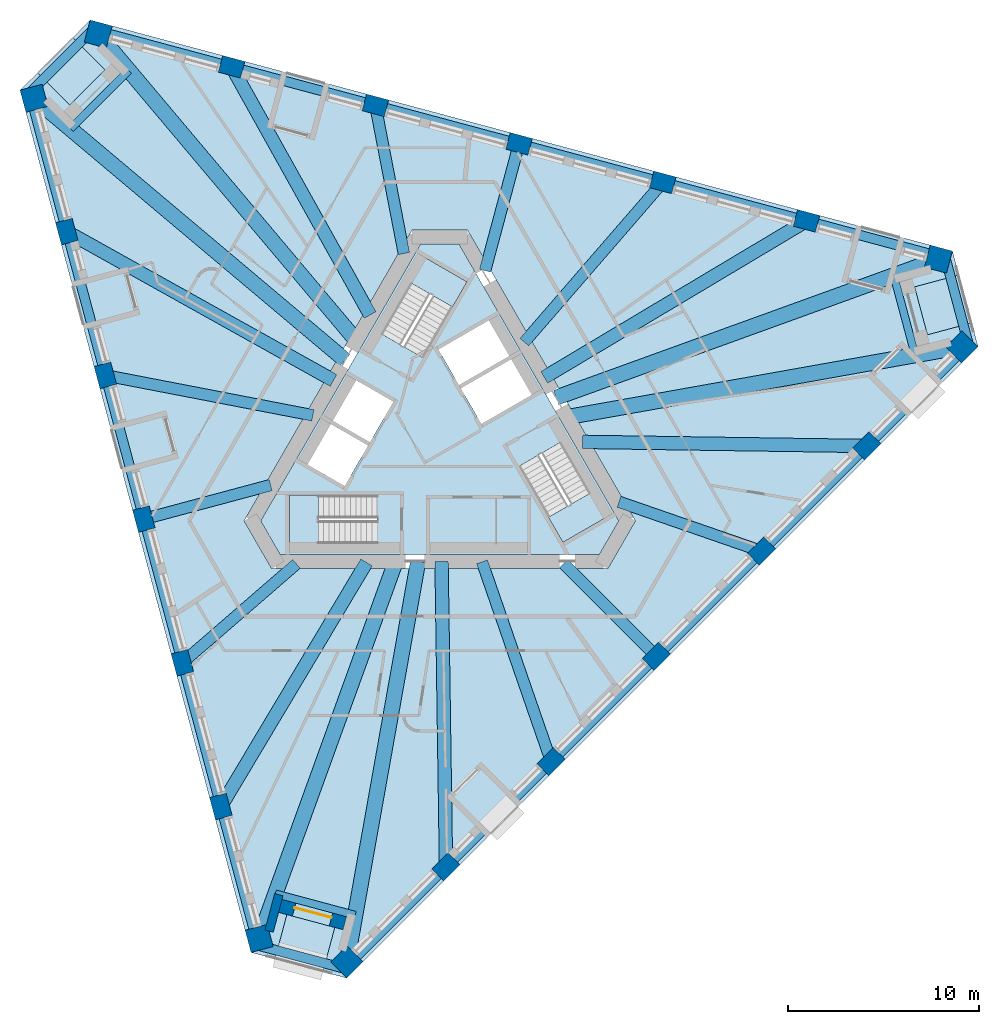
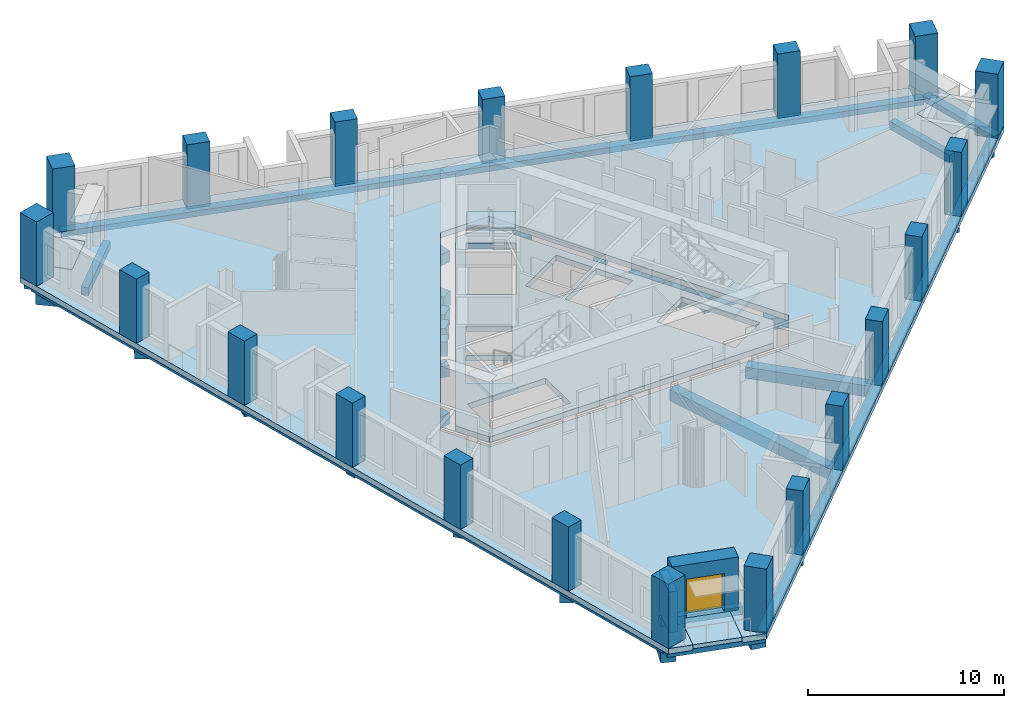
# One storey, part 1 of 13: 30 beams, 21 columns, 8 slabs, 2 walls, 1 door, 1 opening, 3 elements without a shape of their own.
"""IFC4 building model written with IfcOpenShell, lengths in metres."""

from ifc_helpers import new_model, si_unit, direction, frame, frame_2d, origin, origin_2d, place, context, subcontext, project, spatial, polyline, rectangle, outline, extrude, material, layer, layer_set, material_profile, profile_set, type_object, element, fill, aggregate, save


model = new_model("IFC4")

# Units and contexts
model_context = context("Model", 3, precision=1e-05, world=origin(), true_north=direction((0.0, 1.0)))
body_context = subcontext(model_context, "Body", "Model", "MODEL_VIEW")
ifc_project = project(units=[si_unit("LENGTHUNIT", "METRE"), si_unit("AREAUNIT", "SQUARE_METRE"), si_unit("VOLUMEUNIT", "CUBIC_METRE"), si_unit("PLANEANGLEUNIT", "RADIAN"), si_unit("MASSUNIT", "GRAM", prefix="KILO")], contexts=[model_context])

# Site, building, storey
site_placement = place(None, origin())
site = spatial("IfcSite", under=ifc_project, at=site_placement, CompositionType="ELEMENT")
building_placement = place(site_placement, origin())
building = spatial("IfcBuilding", under=site, at=building_placement, Name="Tramontana Tower", CompositionType="ELEMENT")
storey_placement = place(building_placement, frame((0.0, 0.0, 220.0)))
storey = spatial("IfcBuildingStorey", under=building, at=storey_placement, Name="L51", CompositionType="ELEMENT", Elevation=220.0)

# Columns
ifc_material_1 = material(Name="Concrete 55 MPa", Category="concrete")
ifc_material_profile_1 = material_profile(ifc_material_1, rectangle(XDim=1.199951171875, YDim=1.199951171875, at=origin_2d()), Name="Mega column 1200X1200 55 MPa")
ifc_profile_set_1 = profile_set([ifc_material_profile_1], Name="Concrete 55 MPa")
column_type_1 = type_object("IfcColumnType", Name="Mega column 1200X1200 55 MPa", PredefinedType="COLUMN", material=ifc_profile_set_1)
for number, where, z_axis, x_axis, name in (
    (1, (-21.2548828125, 17.89111328125, 0.0), (0.0, 0.0, 1.0), (0.258819045103, -0.965925826289, 0.0), "Mega column C5K1 L51"),
    (2, (-9.461669921875, -26.12158203125, 0.0), (0.0, 0.0, 1.0), (0.258819045103, -0.965925826289, 0.0), "Mega column C5K2 L51"),
    (3, (-4.86669921875, -27.352783203125, 0.0), (0.0, 0.0, 1.0), (0.707106781187, 0.707106781187, 0.0), "Mega column C5K3 L51"),
    (4, (27.352783203125, 4.86669921875, 0.0), (0.0, 0.0, 1.0), (0.707106781187, 0.707106781187, 0.0), "Mega column C5K4 L51"),
    (5, (26.12158203125, 9.461669921875, 0.0), (0.0, 0.0, 1.0), (-0.965925826289, 0.258819045103, 0.0), "Mega column C5K5 L51"),
    (6, (-17.89111328125, 21.2548828125, 0.0), (0.0, 0.0, 1.0), (-0.965925826289, 0.258819045103, 0.0), "Mega column C5K6 L51"),
):
    element("IfcColumn", number, at=place(storey_placement, frame(where, z_axis=z_axis, x_axis=x_axis)), inside=storey, type_object=column_type_1, Name=name, PredefinedType="COLUMN", context=body_context, shape_type="SweptSolid", body=[
        extrude(rectangle(XDim=1.199951171875, YDim=1.199951171875, at=origin_2d()), origin(), (0.0, 0.0, 1.0), 4.0),
    ])
ifc_material_2 = material(Name="Concrete 55 MPa", Category="concrete")
ifc_material_profile_2 = material_profile(ifc_material_2, rectangle(XDim=1.199951171875, YDim=0.89990234375, at=origin_2d()), Name="Pier column 1200X900 55 MPa")
ifc_profile_set_2 = profile_set([ifc_material_profile_2], Name="Concrete 55 MPa")
column_type_2 = type_object("IfcColumnType", Name="Pier column 1200X900 55 MPa", PredefinedType="COLUMN", material=ifc_profile_set_2)
for number, where, z_axis, x_axis, name in (
    (7, (-19.53759765625, 10.9033203125, 0.0), (0.0, 0.0, 1.0), (0.258819045103, -0.965925826289, 0.0), "Pier column C5F01 L51"),
    (8, (-17.5205078125, 3.37451171875, 0.0), (0.0, 0.0, 1.0), (0.258819045103, -0.965925826289, 0.0), "Pier column C5F02 L51"),
    (9, (-15.503173828125, -4.154052734375, 0.0), (0.0, 0.0, 1.0), (0.258819045103, -0.965925826289, 0.0), "Pier column C5F03 L51"),
    (10, (-13.48583984375, -11.6826171875, 0.0), (0.0, 0.0, 1.0), (0.258819045103, -0.965925826289, 0.0), "Pier column C5F04 L51"),
    (11, (-11.468505859375, -19.21142578125, 0.0), (0.0, 0.0, 1.0), (0.258819045103, -0.965925826289, 0.0), "Pier column C5F05 L51"),
    (12, (0.326416015625, -22.371826171875, 0.0), (0.0, 0.0, 1.0), (0.707106781187, 0.707106781187, 0.0), "Pier column C5F06 L51"),
    (13, (5.837646484375, -16.8603515625, 0.0), (0.0, 0.0, 1.0), (0.707106781187, 0.707106781187, 0.0), "Pier column C5F07 L51"),
    (14, (11.34912109375, -11.34912109375, 0.0), (0.0, 0.0, 1.0), (0.707106781187, 0.707106781187, 0.0), "Pier column C5F08 L51"),
    (15, (16.8603515625, -5.837646484375, 0.0), (0.0, 0.0, 1.0), (0.707106781187, 0.707106781187, 0.0), "Pier column C5F09 L51"),
    (16, (22.371826171875, -0.326416015625, 0.0), (0.0, 0.0, 1.0), (0.707106781187, 0.707106781187, 0.0), "Pier column C5F10 L51"),
    (17, (19.21142578125, 11.468505859375, 0.0), (0.0, 0.0, 1.0), (-0.965925826289, 0.258819045103, 0.0), "Pier column C5F11 L51"),
    (18, (11.6826171875, 13.48583984375, 0.0), (0.0, 0.0, 1.0), (-0.965925826289, 0.258819045103, 0.0), "Pier column C5F12 L51"),
    (19, (4.154052734375, 15.503173828125, 0.0), (0.0, 0.0, 1.0), (-0.965925826289, 0.258819045103, 0.0), "Pier column C5F13 L51"),
    (20, (-3.37451171875, 17.5205078125, 0.0), (0.0, 0.0, 1.0), (-0.965925826289, 0.258819045103, 0.0), "Pier column C5F14 L51"),
    (21, (-10.9033203125, 19.53759765625, 0.0), (0.0, 0.0, 1.0), (-0.965925826289, 0.258819045103, 0.0), "Pier column C5F15 L51"),
):
    element("IfcColumn", number, at=place(storey_placement, frame(where, z_axis=z_axis, x_axis=x_axis)), inside=storey, type_object=column_type_2, Name=name, PredefinedType="COLUMN", context=body_context, shape_type="SweptSolid", body=[
        extrude(rectangle(XDim=1.199951171875, YDim=0.89990234375, at=origin_2d()), origin(), (0.0, 0.0, 1.0), 4.0),
    ])

# Beams
ifc_material_3 = material(Name="Concrete 40 MPa", Category="concrete")
ifc_material_profile_3 = material_profile(ifc_material_3, rectangle(XDim=0.5, YDim=0.35009765625, at=origin_2d()), Name="RC EDGE BEAM 500X350 40 MPa")
ifc_profile_set_3 = profile_set([ifc_material_profile_3], Name="Concrete 40 MPa")
beam_type_1 = type_object("IfcBeamType", Name="RC EDGE BEAM 500X350 40 MPa", PredefinedType="SPANDREL", material=ifc_profile_set_3)
beam_1_placement = place(storey_placement, frame((-21.399658203125, 17.852294921875, -0.52490234375), z_axis=(0.25882000186, -0.965925569926, 0.0), x_axis=(0.965925569926, 0.25882000186, 0.0)))
element("IfcBeam", 22, at=beam_1_placement, inside=storey, type_object=beam_type_1, Name="Spandrel beam S0 L51", PredefinedType="SPANDREL", context=body_context, shape_type="SweptSolid", body=[
    extrude(rectangle(XDim=0.5, YDim=0.35009765625, at=origin_2d()), origin(), (0.0, 0.0, 1.0), 45.565185546875),
])
beam_2_placement = place(storey_placement, frame((-4.7607421875, -27.458984375, -0.52490234375), z_axis=(0.707106781187, 0.707106781187, 0.0), x_axis=(-0.707106781187, 0.707106781187, 0.0)))
element("IfcBeam", 23, at=beam_2_placement, inside=storey, type_object=beam_type_1, Name="Spandrel beam S1 L51", PredefinedType="SPANDREL", context=body_context, shape_type="SweptSolid", body=[
    extrude(rectangle(XDim=0.5, YDim=0.35009765625, at=origin_2d()), origin(), (0.0, 0.0, 1.0), 45.565673828125),
])
beam_3_placement = place(storey_placement, frame((26.160400390625, 9.6064453125, -0.52490234375), z_axis=(-0.965925569926, 0.25882000186, 0.0), x_axis=(-0.25882000186, -0.965925569926, 0.0)))
element("IfcBeam", 24, at=beam_3_placement, inside=storey, type_object=beam_type_1, Name="Spandrel beam S2 L51", PredefinedType="SPANDREL", context=body_context, shape_type="SweptSolid", body=[
    extrude(rectangle(XDim=0.5, YDim=0.35009765625, at=origin_2d()), origin(), (0.0, 0.0, 1.0), 45.565185546875),
])
beam_4_placement = place(storey_placement, frame((-17.997314453125, 21.67138671875, -0.52490234375), z_axis=(-0.707106781187, -0.707106781187, 0.0), x_axis=(0.707106781187, -0.707106781187, 0.0)))
element("IfcBeam", 25, at=beam_4_placement, inside=storey, type_object=beam_type_1, Name="Spandrel beam K0 L51", PredefinedType="SPANDREL", context=body_context, shape_type="SweptSolid", body=[
    extrude(rectangle(XDim=0.5, YDim=0.35009765625, at=origin_2d()), origin(), (0.0, 0.0, 1.0), 5.19580078125),
])
for number, where, z_axis, x_axis, name in (
    (26, (-9.769287109375, -26.421875, -0.52490234375), (0.965931693355, -0.258797147923, 0.0), (0.258797147923, 0.965931693355, 0.0), "Spandrel beam K1 L51"),
    (27, (27.7666015625, 4.750244140625, -0.52490234375), (-0.258797147923, 0.965931693355, 0.0), (-0.965931693355, -0.258797147923, 0.0), "Spandrel beam K2 L51"),
):
    element("IfcBeam", number, at=place(storey_placement, frame(where, z_axis=z_axis, x_axis=x_axis)), inside=storey, type_object=beam_type_1, Name=name, PredefinedType="SPANDREL", context=body_context, shape_type="SweptSolid", body=[
        extrude(rectangle(XDim=0.5, YDim=0.35009765625, at=origin_2d()), origin(), (0.0, 0.0, 1.0), 5.196044921875),
    ])
ifc_material_4 = material(Name="Concrete 40 MPa", Category="concrete")
ifc_material_profile_4 = material_profile(ifc_material_4, rectangle(XDim=0.60009765625, YDim=0.699951171875, at=origin_2d()), Name="RC GIRDER 600X700 40 MPa")
ifc_profile_set_4 = profile_set([ifc_material_profile_4], Name="Concrete 40 MPa")
beam_type_2 = type_object("IfcBeamType", Name="RC GIRDER 600X700 40 MPa", PredefinedType="BEAM", material=ifc_profile_set_4)
beam_5_placement = place(storey_placement, frame((-17.5205078125, 3.37451171875, -0.699951171875), z_axis=(0.981952314937, -0.189128663056, 0.0), x_axis=(0.189128663056, 0.981952314937, 0.0)))
element("IfcBeam", 28, at=beam_5_placement, inside=storey, type_object=beam_type_2, Name="Radial girder C5F02 L51", PredefinedType="BEAM", context=body_context, shape_type="SweptSolid", body=[
    extrude(rectangle(XDim=0.60009765625, YDim=0.699951171875, at=origin_2d()), origin(), (0.0, 0.0, 1.0), 11.074462890625),
])
beam_6_placement = place(storey_placement, frame((-15.503173828125, -4.154052734375, -0.699951171875), z_axis=(0.96592381373, 0.258826555959, 0.0), x_axis=(-0.258826555959, 0.96592381373, 0.0)))
element("IfcBeam", 29, at=beam_6_placement, inside=storey, type_object=beam_type_2, Name="Radial girder C5F03 L51", PredefinedType="BEAM", context=body_context, shape_type="SweptSolid", body=[
    extrude(rectangle(XDim=0.60009765625, YDim=0.699951171875, at=origin_2d()), origin(), (0.0, 0.0, 1.0), 6.879150390625),
])
beam_7_placement = place(storey_placement, frame((-13.48583984375, -11.6826171875, -0.699951171875), z_axis=(0.755833701345, 0.654763633619, 0.0), x_axis=(-0.654763633619, 0.755833701345, 0.0)))
element("IfcBeam", 30, at=beam_7_placement, inside=storey, type_object=beam_type_2, Name="Radial girder C5F04 L51", PredefinedType="BEAM", context=body_context, shape_type="SweptSolid", body=[
    extrude(rectangle(XDim=0.60009765625, YDim=0.699951171875, at=origin_2d()), origin(), (0.0, 0.0, 1.0), 7.908447265625),
])
beam_8_placement = place(storey_placement, frame((5.837646484375, -16.8603515625, -0.699951171875), z_axis=(-0.327178709265, 0.944962481903, 0.0), x_axis=(-0.944962481903, -0.327178709265, 0.0)))
element("IfcBeam", 31, at=beam_8_placement, inside=storey, type_object=beam_type_2, Name="Radial girder C5F07 L51", PredefinedType="BEAM", context=body_context, shape_type="SweptSolid", body=[
    extrude(rectangle(XDim=0.60009765625, YDim=0.699951171875, at=origin_2d()), origin(), (0.0, 0.0, 1.0), 11.074462890625),
])
beam_9_placement = place(storey_placement, frame((11.34912109375, -11.34912109375, -0.699951171875), z_axis=(-0.707106781187, 0.707106781187, 0.0), x_axis=(-0.707106781187, -0.707106781187, 0.0)))
element("IfcBeam", 32, at=beam_9_placement, inside=storey, type_object=beam_type_2, Name="Radial girder C5F08 L51", PredefinedType="BEAM", context=body_context, shape_type="SweptSolid", body=[
    extrude(rectangle(XDim=0.60009765625, YDim=0.699951171875, at=origin_2d()), origin(), (0.0, 0.0, 1.0), 6.879150390625),
])
beam_10_placement = place(storey_placement, frame((16.8603515625, -5.837646484375, -0.699951171875), z_axis=(-0.944964783829, 0.327172060732, 0.0), x_axis=(-0.327172060732, -0.944964783829, 0.0)))
element("IfcBeam", 33, at=beam_10_placement, inside=storey, type_object=beam_type_2, Name="Radial girder C5F09 L51", PredefinedType="BEAM", context=body_context, shape_type="SweptSolid", body=[
    extrude(rectangle(XDim=0.60009765625, YDim=0.699951171875, at=origin_2d()), origin(), (0.0, 0.0, 1.0), 7.908447265625),
])
beam_11_placement = place(storey_placement, frame((11.6826171875, 13.48583984375, -0.699951171875), z_axis=(-0.654758463957, -0.755838179689, 0.0), x_axis=(0.755838179689, -0.654758463957, 0.0)))
element("IfcBeam", 34, at=beam_11_placement, inside=storey, type_object=beam_type_2, Name="Radial girder C5F12 L51", PredefinedType="BEAM", context=body_context, shape_type="SweptSolid", body=[
    extrude(rectangle(XDim=0.60009765625, YDim=0.699951171875, at=origin_2d()), origin(), (0.0, 0.0, 1.0), 11.07421875),
])
beam_12_placement = place(storey_placement, frame((4.154052734375, 15.503173828125, -0.699951171875), z_axis=(-0.258826555959, -0.96592381373, 0.0), x_axis=(0.96592381373, -0.258826555959, 0.0)))
element("IfcBeam", 35, at=beam_12_placement, inside=storey, type_object=beam_type_2, Name="Radial girder C5F13 L51", PredefinedType="BEAM", context=body_context, shape_type="SweptSolid", body=[
    extrude(rectangle(XDim=0.60009765625, YDim=0.699951171875, at=origin_2d()), origin(), (0.0, 0.0, 1.0), 6.879150390625),
])
beam_13_placement = place(storey_placement, frame((-3.37451171875, 17.5205078125, -0.699951171875), z_axis=(0.189111876718, -0.981955547917, 0.0), x_axis=(0.981955547917, 0.189111876718, 0.0)))
element("IfcBeam", 36, at=beam_13_placement, inside=storey, type_object=beam_type_2, Name="Radial girder C5F14 L51", PredefinedType="BEAM", context=body_context, shape_type="SweptSolid", body=[
    extrude(rectangle(XDim=0.60009765625, YDim=0.699951171875, at=origin_2d()), origin(), (0.0, 0.0, 1.0), 7.90869140625),
])
ifc_material_5 = material(Name="Concrete 40 MPa", Category="concrete")
ifc_material_profile_5 = material_profile(ifc_material_5, rectangle(XDim=0.699951171875, YDim=0.89990234375, at=origin_2d()), Name="RC GIRDER 700X900 40 MPa")
ifc_profile_set_5 = profile_set([ifc_material_profile_5], Name="Concrete 40 MPa")
beam_type_3 = type_object("IfcBeamType", Name="RC GIRDER 700X900 40 MPa", PredefinedType="BEAM", material=ifc_profile_set_5)
beam_14_placement = place(storey_placement, frame((-19.53759765625, 10.9033203125, -0.800048828125), z_axis=(0.873222771741, -0.487321239956, 0.0), x_axis=(0.487321239956, 0.873222771741, 0.0)))
element("IfcBeam", 37, at=beam_14_placement, inside=storey, type_object=beam_type_3, Name="Radial girder C5F01 L51", PredefinedType="BEAM", context=body_context, shape_type="SweptSolid", body=[
    extrude(rectangle(XDim=0.699951171875, YDim=0.89990234375, at=origin_2d()), origin(), (0.0, 0.0, 1.0), 15.99853515625),
])
beam_15_placement = place(storey_placement, frame((-11.468505859375, -19.211181640625, -0.800048828125), z_axis=(0.512577256937, 0.858641109935, 0.0), x_axis=(-0.858641109935, 0.512577256937, 0.0)))
element("IfcBeam", 38, at=beam_15_placement, inside=storey, type_object=beam_type_3, Name="Radial girder C5F05 L51", PredefinedType="BEAM", context=body_context, shape_type="SweptSolid", body=[
    extrude(rectangle(XDim=0.699951171875, YDim=0.89990234375, at=origin_2d()), origin(), (0.0, 0.0, 1.0), 14.8876953125),
])
beam_16_placement = place(storey_placement, frame((0.326416015625, -22.371826171875, -0.800048828125), z_axis=(-0.014588743818, 0.999893578614, 0.0), x_axis=(-0.999893578614, -0.014588743818, 0.0)))
element("IfcBeam", 39, at=beam_16_placement, inside=storey, type_object=beam_type_3, Name="Radial girder C5F06 L51", PredefinedType="BEAM", context=body_context, shape_type="SweptSolid", body=[
    extrude(rectangle(XDim=0.699951171875, YDim=0.89990234375, at=origin_2d()), origin(), (0.0, 0.0, 1.0), 15.99853515625),
])
beam_17_placement = place(storey_placement, frame((22.371826171875, -0.326416015625, -0.800048828125), z_axis=(-0.999893489786, 0.01459483068, 0.0), x_axis=(-0.01459483068, -0.999893489786, 0.0)))
element("IfcBeam", 40, at=beam_17_placement, inside=storey, type_object=beam_type_3, Name="Radial girder C5F10 L51", PredefinedType="BEAM", context=body_context, shape_type="SweptSolid", body=[
    extrude(rectangle(XDim=0.699951171875, YDim=0.89990234375, at=origin_2d()), origin(), (0.0, 0.0, 1.0), 14.8876953125),
])
beam_18_placement = place(storey_placement, frame((19.211181640625, 11.468505859375, -0.800048828125), z_axis=(-0.858639355408, -0.512580196012, 0.0), x_axis=(0.512580196012, -0.858639355408, 0.0)))
element("IfcBeam", 41, at=beam_18_placement, inside=storey, type_object=beam_type_3, Name="Radial girder C5F11 L51", PredefinedType="BEAM", context=body_context, shape_type="SweptSolid", body=[
    extrude(rectangle(XDim=0.699951171875, YDim=0.89990234375, at=origin_2d()), origin(), (0.0, 0.0, 1.0), 15.998291015625),
])
beam_19_placement = place(storey_placement, frame((-10.9033203125, 19.53759765625, -0.800048828125), z_axis=(0.487317016809, -0.873225128548, 0.0), x_axis=(0.873225128548, 0.487317016809, 0.0)))
element("IfcBeam", 42, at=beam_19_placement, inside=storey, type_object=beam_type_3, Name="Radial girder C5F15 L51", PredefinedType="BEAM", context=body_context, shape_type="SweptSolid", body=[
    extrude(rectangle(XDim=0.699951171875, YDim=0.89990234375, at=origin_2d()), origin(), (0.0, 0.0, 1.0), 14.887939453125),
])
ifc_material_6 = material(Name="Concrete 40 MPa", Category="concrete")
ifc_material_profile_6 = material_profile(ifc_material_6, rectangle(XDim=0.800048828125, YDim=1.10009765625, at=origin_2d()), Name="RC GIRDER 800X1100 40 MPa")
ifc_profile_set_6 = profile_set([ifc_material_profile_6], Name="Concrete 40 MPa")
beam_type_4 = type_object("IfcBeamType", Name="RC GIRDER 800X1100 40 MPa", PredefinedType="BEAM", material=ifc_profile_set_6)
beam_20_placement = place(storey_placement, frame((-21.2548828125, 17.89111328125, -0.89990234375), z_axis=(0.765048789766, -0.643972320273, 0.0), x_axis=(0.643972320273, 0.765048789766, 0.0)))
element("IfcBeam", 43, at=beam_20_placement, inside=storey, type_object=beam_type_4, Name="Radial girder C5K1 L51", PredefinedType="BEAM", context=body_context, shape_type="SweptSolid", body=[
    extrude(rectangle(XDim=0.800048828125, YDim=1.10009765625, at=origin_2d()), origin(), (0.0, 0.0, 1.0), 21.301513671875),
])
beam_21_placement = place(storey_placement, frame((-9.461669921875, -26.12158203125, -0.89990234375), z_axis=(0.340569160695, 0.94021946735, 0.0), x_axis=(-0.94021946735, 0.340569160695, 0.0)))
element("IfcBeam", 44, at=beam_21_placement, inside=storey, type_object=beam_type_4, Name="Radial girder C5K2 L51", PredefinedType="BEAM", context=body_context, shape_type="SweptSolid", body=[
    extrude(rectangle(XDim=0.800048828125, YDim=1.10009765625, at=origin_2d()), origin(), (0.0, 0.0, 1.0), 20.978271484375),
])
beam_22_placement = place(storey_placement, frame((-4.86669921875, -27.352783203125, -0.89990234375), z_axis=(0.175174555483, 0.984537391424, 0.0), x_axis=(-0.984537391424, 0.175174555483, 0.0)))
element("IfcBeam", 45, at=beam_22_placement, inside=storey, type_object=beam_type_4, Name="Radial girder C5K3 L51", PredefinedType="BEAM", context=body_context, shape_type="SweptSolid", body=[
    extrude(rectangle(XDim=0.800048828125, YDim=1.10009765625, at=origin_2d()), origin(), (0.0, 0.0, 1.0), 21.30126953125),
])
beam_23_placement = place(storey_placement, frame((27.352783203125, 4.86669921875, -0.89990234375), z_axis=(-0.984537718073, -0.175172719597, 0.0), x_axis=(0.175172719597, -0.984537718073, 0.0)))
element("IfcBeam", 46, at=beam_23_placement, inside=storey, type_object=beam_type_4, Name="Radial girder C5K4 L51", PredefinedType="BEAM", context=body_context, shape_type="SweptSolid", body=[
    extrude(rectangle(XDim=0.800048828125, YDim=1.10009765625, at=origin_2d()), origin(), (0.0, 0.0, 1.0), 20.978271484375),
])
beam_24_placement = place(storey_placement, frame((26.12158203125, 9.461669921875, -0.89990234375), z_axis=(-0.940223018737, -0.340559356113, 0.0), x_axis=(0.340559356113, -0.940223018737, 0.0)))
element("IfcBeam", 47, at=beam_24_placement, inside=storey, type_object=beam_type_4, Name="Radial girder C5K5 L51", PredefinedType="BEAM", context=body_context, shape_type="SweptSolid", body=[
    extrude(rectangle(XDim=0.800048828125, YDim=1.10009765625, at=origin_2d()), origin(), (0.0, 0.0, 1.0), 21.301513671875),
])
beam_25_placement = place(storey_placement, frame((-17.89111328125, 21.2548828125, -0.89990234375), z_axis=(0.643976971362, -0.765044874733, 0.0), x_axis=(0.765044874733, 0.643976971362, 0.0)))
element("IfcBeam", 48, at=beam_25_placement, inside=storey, type_object=beam_type_4, Name="Radial girder C5K6 L51", PredefinedType="BEAM", context=body_context, shape_type="SweptSolid", body=[
    extrude(rectangle(XDim=0.800048828125, YDim=1.10009765625, at=origin_2d()), origin(), (0.0, 0.0, 1.0), 20.978271484375),
])
ifc_material_7 = material(Name="Concrete 40 MPa", Category="concrete")
ifc_material_profile_7 = material_profile(ifc_material_7, rectangle(XDim=0.39990234375, YDim=0.5, at=origin_2d()), Name="RC TRIM BEAM 400X500 40 MPa")
ifc_profile_set_7 = profile_set([ifc_material_profile_7], Name="Concrete 40 MPa")
beam_type_5 = type_object("IfcBeamType", Name="RC TRIM BEAM 400X500 40 MPa", PredefinedType="JOIST", material=ifc_profile_set_7)
beam_26_placement = place(storey_placement, frame((-16.2880859375, 19.35009765625, -0.60009765625), z_axis=(-0.707106781187, -0.707106781187, 0.0), x_axis=(0.707106781187, -0.707106781187, 0.0)))
element("IfcBeam", 49, at=beam_26_placement, inside=storey, type_object=beam_type_5, Name="Trimmer beam K0 L51", PredefinedType="JOIST", context=body_context, shape_type="SweptSolid", body=[
    extrude(rectangle(XDim=0.39990234375, YDim=0.5, at=origin_2d()), origin(), (0.0, 0.0, 1.0), 4.330322265625),
])
for number, where, z_axis, x_axis, name in (
    (50, (-8.61376953125, -23.781005859375, -0.60009765625), (0.965926410656, -0.258816864207, 0.0), (0.258816864207, 0.965926410656, 0.0), "Trimmer beam K1 L51"),
    (51, (24.90185546875, 4.4306640625, -0.60009765625), (-0.258816864207, 0.965926410656, 0.0), (-0.965926410656, -0.258816864207, 0.0), "Trimmer beam K2 L51"),
):
    element("IfcBeam", number, at=place(storey_placement, frame(where, z_axis=z_axis, x_axis=x_axis)), inside=storey, type_object=beam_type_5, Name=name, PredefinedType="JOIST", context=body_context, shape_type="SweptSolid", body=[
        extrude(rectangle(XDim=0.39990234375, YDim=0.5, at=origin_2d()), origin(), (0.0, 0.0, 1.0), 4.33056640625),
    ])

# Slabs
ifc_material_8 = material(Name="Precast concrete 50 MPa", Category="concrete")
ifc_layer_1 = layer(ifc_material_8, 0.25)
ifc_layer_set_1 = layer_set([ifc_layer_1], Name="LT1 Loggia floor tray 250")
slab_type_1 = type_object("IfcSlabType", Name="LT1 Loggia floor tray 250", PredefinedType="FLOOR", material=ifc_layer_set_1)
slab_1_placement = place(storey_placement, frame((0.0, 0.0, -0.25)))
element("IfcSlab", 52, at=slab_1_placement, inside=storey, type_object=slab_type_1, Name="Corner loggia floor L51 K50", PredefinedType="FLOOR", context=body_context, shape_type="SweptSolid", body=[
    extrude(outline(polyline([(-19.2333984375, 21.07177734375), (-17.5361328125, 19.374755859375), (-19.374755859375, 17.5361328125), (-21.07177734375, 19.2333984375), (-19.2333984375, 21.07177734375)])), origin(), (0.0, 0.0, 1.0), 0.25),
])
slab_2_placement = place(storey_placement, frame((0.0, 0.0, -0.25)))
element("IfcSlab", 53, at=slab_2_placement, inside=storey, type_object=slab_type_1, Name="Corner loggia floor L51 K51", PredefinedType="FLOOR", context=body_context, shape_type="SweptSolid", body=[
    extrude(outline(polyline([(-8.632080078125, -27.1923828125), (-8.010986328125, -24.874267578125), (-5.49951171875, -25.547119140625), (-6.12060546875, -27.865234375), (-8.632080078125, -27.1923828125)])), origin(), (0.0, 0.0, 1.0), 0.25),
])
slab_3_placement = place(storey_placement, frame((0.0, 0.0, -0.25)))
element("IfcSlab", 54, at=slab_3_placement, inside=storey, type_object=slab_type_1, Name="Corner loggia floor L51 K52", PredefinedType="FLOOR", context=body_context, shape_type="SweptSolid", body=[
    extrude(outline(polyline([(27.865234375, 6.12060546875), (25.547119140625, 5.49951171875), (24.874267578125, 8.010986328125), (27.1923828125, 8.632080078125), (27.865234375, 6.12060546875)])), origin(), (0.0, 0.0, 1.0), 0.25),
])
ifc_material_9 = material(Name="Concrete 40 MPa", Category="concrete")
ifc_layer_2 = layer(ifc_material_9, 0.35009765625)
ifc_layer_set_2 = layer_set([ifc_layer_2], Name="PT FLAT SLAB 350 40 MPa")
slab_type_2 = type_object("IfcSlabType", Name="PT FLAT SLAB 350 40 MPa", PredefinedType="FLOOR", material=ifc_layer_set_2)
slab_4_placement = place(storey_placement, frame((0.0, 0.0, -0.35009765625)))
element("IfcSlab", 55, at=slab_4_placement, inside=storey, type_object=slab_type_2, Name="Floor slab L51", PredefinedType="FLOOR", context=body_context, shape_type="SweptSolid", body=[
    extrude(outline(polyline([(27.1923828125, 8.632080078125), (24.874267578125, 8.010986328125), (25.547119140625, 5.49951171875), (27.865478515625, 6.12060546875), (28.201416015625, 4.86669921875), (-4.86669921875, -28.201416015625), (-6.12060546875, -27.865478515625), (-5.49951171875, -25.547119140625), (-8.010986328125, -24.874267578125), (-8.632080078125, -27.1923828125), (-9.885986328125, -26.8564453125), (-21.98974609375, 18.3154296875), (-21.07177734375, 19.2333984375), (-19.374755859375, 17.5361328125), (-17.5361328125, 19.374755859375), (-19.2333984375, 21.07177734375), (-18.3154296875, 21.98974609375), (26.8564453125, 9.885986328125), (27.1923828125, 8.632080078125)]), holes=[polyline([(-10.248046875, -4.25), (-8.8046875, -6.75), (8.8046875, -6.75), (10.248046875, -4.25), (1.443359375, 11.0), (-1.443359375, 11.0), (-10.248046875, -4.25)])]), origin(), (0.0, 0.0, 1.0), 0.35009765625),
])
slab_5_placement = place(storey_placement, frame((0.0, 0.0, -0.35009765625)))
element("IfcSlab", 56, at=slab_5_placement, inside=storey, type_object=slab_type_2, Name="Core floor slab L51", PredefinedType="FLOOR", context=body_context, shape_type="SweptSolid", body=[
    extrude(outline(polyline([(9.3818359375, -4.25), (8.37158203125, -6.0), (-8.37158203125, -6.0), (-9.3818359375, -4.25), (-1.010498046875, 10.25), (1.010498046875, 10.25), (9.3818359375, -4.25)]), holes=[polyline([(8.659912109375, -4.099365234375), (6.35986328125, -0.115478515625), (4.151611328125, -1.390625), (6.451416015625, -5.374267578125), (8.659912109375, -4.099365234375)]), polyline([(3.829833984375, 4.2666015625), (1.101806640625, 2.69140625), (2.177001953125, 0.82958984375), (4.90478515625, 2.404541015625), (3.829833984375, 4.2666015625)]), polyline([(2.65478515625, 6.3017578125), (-0.072998046875, 4.726806640625), (1.001953125, 2.86474609375), (3.729736328125, 4.439697265625), (2.65478515625, 6.3017578125)]), polyline([(-0.77978515625, 9.54931640625), (-3.079833984375, 5.565673828125), (-0.87158203125, 4.29052734375), (1.428466796875, 8.2744140625), (-0.77978515625, 9.54931640625)]), polyline([(-5.689697265625, 1.044921875), (-3.65478515625, -0.130126953125), (-2.4296875, 1.99169921875), (-4.46484375, 3.166748046875), (-5.689697265625, 1.044921875)]), polyline([(-3.280029296875, -5.449951171875), (-3.280029296875, -2.89990234375), (-7.8798828125, -2.89990234375), (-7.8798828125, -5.449951171875), (-3.280029296875, -5.449951171875)]), polyline([(-7.014892578125, -1.25), (-4.979736328125, -2.425048828125), (-3.754638671875, -0.30322265625), (-5.789794921875, 0.87158203125), (-7.014892578125, -1.25)])]), origin(), (0.0, 0.0, 1.0), 0.35009765625),
])

# Stair, slab
ifc_material_10 = material(Name="Concrete 40 MPa", Category="concrete")
stair_type = type_object("IfcStairType", Name="EXIT STAIR 24 RISERS", PredefinedType="HALF_TURN_STAIR", material=ifc_material_10)
stair_1_placement = place(storey_placement, origin())
stair_1 = element("IfcStair", 57, at=stair_1_placement, inside=storey, type_object=stair_type, Name="L51 Exit stair ST1", PredefinedType="HALF_TURN_STAIR")
ifc_material_11 = material(Name="Concrete 40 MPa", Category="concrete")
ifc_layer_3 = layer(ifc_material_11, 0.199951171875)
ifc_layer_set_3 = layer_set([ifc_layer_3], Name="STAIR LANDING 200")
slab_type_3 = type_object("IfcSlabType", Name="STAIR LANDING 200", PredefinedType="LANDING", material=ifc_layer_set_3)
slab_6_placement = place(storey_placement, frame((0.0, 0.0, 1.800048828125)))
slab_6 = element("IfcSlab", 58, at=slab_6_placement, type_object=slab_type_3, Name="ST1 landing 1", PredefinedType="LANDING", context=body_context, shape_type="SweptSolid", body=[
    extrude(outline(polyline([(0.66845703125, 6.9580078125), (1.428466796875, 8.274169921875), (-0.77978515625, 9.54931640625), (-1.539794921875, 8.23291015625), (0.66845703125, 6.9580078125)])), origin(), (0.0, 0.0, 1.0), 0.199951171875),
])
aggregate(stair_1, [slab_6])

stair_2_placement = place(storey_placement, origin())
stair_2 = element("IfcStair", 59, at=stair_2_placement, inside=storey, type_object=stair_type, Name="L51 Exit stair ST2", PredefinedType="HALF_TURN_STAIR")
slab_7_placement = place(storey_placement, frame((0.0, 0.0, 1.800048828125)))
slab_7 = element("IfcSlab", 60, at=slab_7_placement, type_object=slab_type_3, Name="ST2 landing 1", PredefinedType="LANDING", context=body_context, shape_type="SweptSolid", body=[
    extrude(outline(polyline([(-6.360107421875, -2.89990234375), (-7.8798828125, -2.89990234375), (-7.8798828125, -5.449951171875), (-6.360107421875, -5.449951171875), (-6.360107421875, -2.89990234375)])), origin(), (0.0, 0.0, 1.0), 0.199951171875),
])
aggregate(stair_2, [slab_7])

stair_3_placement = place(storey_placement, origin())
stair_3 = element("IfcStair", 61, at=stair_3_placement, inside=storey, type_object=stair_type, Name="L51 Exit stair ST3", PredefinedType="HALF_TURN_STAIR")
slab_8_placement = place(storey_placement, frame((0.0, 0.0, 1.800048828125)))
slab_8 = element("IfcSlab", 62, at=slab_8_placement, type_object=slab_type_3, Name="ST3 landing 1", PredefinedType="LANDING", context=body_context, shape_type="SweptSolid", body=[
    extrude(outline(polyline([(5.69140625, -4.057861328125), (6.451416015625, -5.374267578125), (8.659912109375, -4.099365234375), (7.89990234375, -2.782958984375), (5.69140625, -4.057861328125)])), origin(), (0.0, 0.0, 1.0), 0.199951171875),
])
aggregate(stair_3, [slab_8])

# Wall
ifc_material_12 = material(Name="Precast concrete 60 MPa", Category="concrete")
ifc_layer_4 = layer(ifc_material_12, 0.449951171875)
ifc_layer_set_4 = layer_set([ifc_layer_4], Name="Precast concrete 60 MPa, 450 mm")
wall_type_1 = type_object("IfcWallType", Name="EW1 Stone-faced precast wall 450", PredefinedType="SOLIDWALL", material=ifc_layer_set_4)
wall_1_placement = place(storey_placement, frame((-8.942138671875, -25.741943359375, 0.0), z_axis=(0.0, 0.0, 1.0), x_axis=(0.258783354109, 0.965935388955, 0.0)))
element("IfcWall", 63, at=wall_1_placement, inside=storey, type_object=wall_type_1, Name="Corner loggia side wall L51 K51r", PredefinedType="SOLIDWALL", context=body_context, shape_type="SweptSolid", body=[
    extrude(rectangle(XDim=1.979248046875, YDim=0.449951171875, at=frame_2d((0.98974609375, 0.0))), origin(), (0.0, 0.0, 1.0), 2.550048828125),
])

# Wall, opening, door
ifc_material_13 = material(Name="Precast concrete 60 MPa", Category="concrete")
ifc_layer_5 = layer(ifc_material_13, 0.89990234375)
ifc_layer_set_5 = layer_set([ifc_layer_5], Name="EW2 Stone-faced corner loggia wall 900")
wall_type_2 = type_object("IfcWallType", Name="EW2 Stone-faced corner loggia wall 900", PredefinedType="SOLIDWALL", material=ifc_layer_set_5)
wall_2_placement = place(storey_placement, frame((-4.9482421875, -25.22900390625, 0.0), z_axis=(0.0, 0.0, 1.0), x_axis=(-0.965918160473, 0.258847652622, 0.0)))
wall_2 = element("IfcWall", 64, at=wall_2_placement, inside=storey, type_object=wall_type_2, Name="Corner loggia wall L51 K51", PredefinedType="SOLIDWALL", context=body_context, shape_type="SweptSolid", body=[
    extrude(rectangle(XDim=3.500244140625, YDim=0.89990234375, at=frame_2d((1.75, 0.0))), origin(), (0.0, 0.0, 1.0), 3.300048828125),
])
opening_placement = place(wall_2_placement, frame((0.75, 0.0, 0.0)))
opening = element("IfcOpeningElement", 65, at=opening_placement, cuts=wall_2, Name="Opening BD-51C", PredefinedType="OPENING", context=body_context, shape_type="SweptSolid", body=[
    extrude(rectangle(XDim=2.0, YDim=2.39990234375, at=frame_2d((1.0, 1.199951171875))), frame((0.0, 0.4599609375, 0.0), z_axis=(0.0, -1.0, 0.0), x_axis=(1.0, 0.0, 0.0)), (0.0, 0.0, 1.0), 0.919921875),
])
ifc_material_14 = material(Name="Aluminum frame, double glazing unit", Category="aluminium")
door_type = type_object("IfcDoorType", Name="BC1 Sliding door 2 x 2.4", OperationType="SLIDING_TO_LEFT", PredefinedType="DOOR", material=ifc_material_14)
door_placement = place(opening_placement, origin())
door = element("IfcDoor", 66, at=door_placement, inside=storey, type_object=door_type, Name="Corner loggia door L51 K51", OperationType="SLIDING_TO_LEFT", OverallHeight=2.39990234375, OverallWidth=2.0, PredefinedType="DOOR", context=body_context, shape_type="SweptSolid", body=[
    extrude(rectangle(XDim=2.0, YDim=2.39990234375, at=frame_2d((1.0, 1.199951171875))), frame((0.0, 0.02490234375, 0.0), z_axis=(0.0, -1.0, 0.0), x_axis=(1.0, 0.0, 0.0)), (0.0, 0.0, 1.0), 0.050048828125),
])
fill(opening, door)

save(model, "model.ifc")
